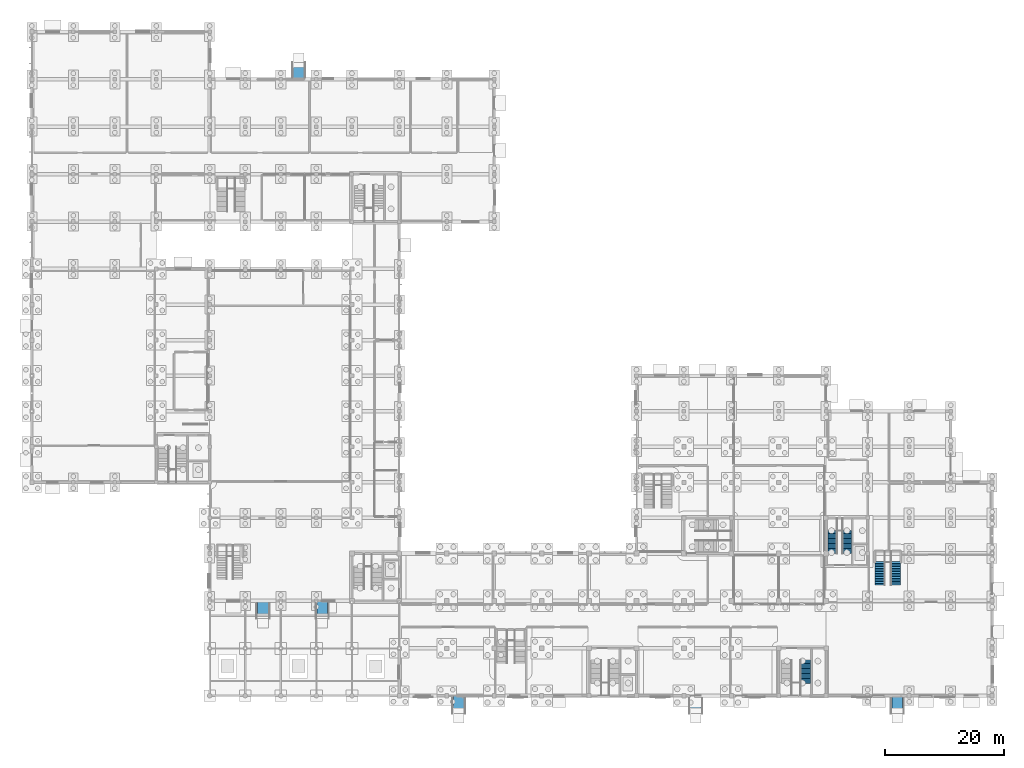
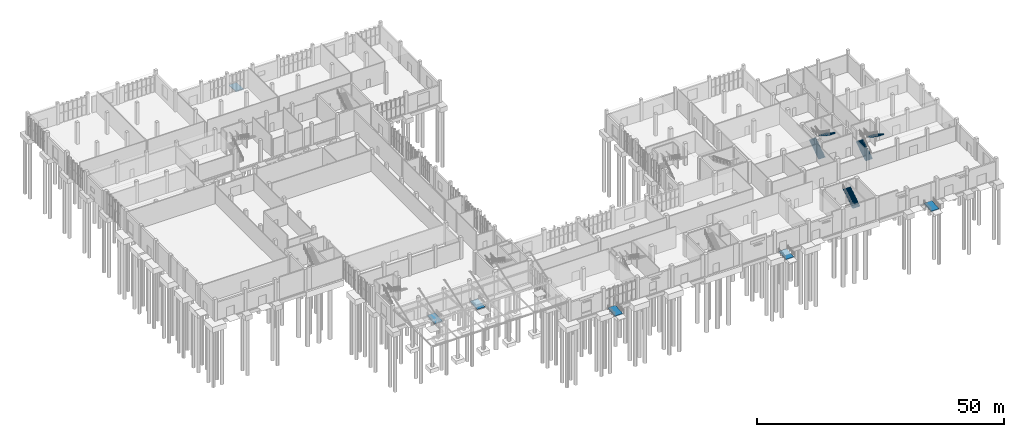
# One storey, part 53 of 69: 6 ramp flights, 5 stair flights, 9 elements without a shape of their own.
"""IFC4 building model written with IfcOpenShell, lengths in metres."""

from ifc_helpers import new_model, si_unit, direction, frame, origin, place, context, subcontext, project, spatial, polyline, outline, extrude, material, layer, layer_set, type_object, element, aggregate, save


model = new_model("IFC4")

# Units and contexts
model_context = context("Model", 3, precision=1e-05, world=origin(), true_north=direction((0.0, 1.0)))
body_context = subcontext(model_context, "Body", "Model", "MODEL_VIEW")
ifc_project = project(units=[si_unit("LENGTHUNIT", "METRE"), si_unit("AREAUNIT", "SQUARE_METRE"), si_unit("VOLUMEUNIT", "CUBIC_METRE"), si_unit("PLANEANGLEUNIT", "RADIAN"), si_unit("MASSUNIT", "GRAM", prefix="KILO")], contexts=[model_context])

# Site, building, storey
site_placement = place(None, origin())
site = spatial("IfcSite", under=ifc_project, at=site_placement, CompositionType="ELEMENT")
building_placement = place(site_placement, origin())
building = spatial("IfcBuilding", under=site, at=building_placement, Name="Solvane Community Centre", CompositionType="ELEMENT")
storey_placement = place(building_placement, origin())
storey = spatial("IfcBuildingStorey", under=building, at=storey_placement, Name="L00", CompositionType="ELEMENT", Elevation=0.0)

# Stair, stair flights
ifc_material = material(Name="Concrete C35/45", Category="concrete")
stair_type_1 = type_object("IfcStairType", Name="RC Two-Flight Escape Stair 1520mm", PredefinedType="TWO_STRAIGHT_RUN_STAIR", material=ifc_material)
stair_1_placement = place(storey_placement, origin())
stair_1 = element("IfcStair", 1, at=stair_1_placement, inside=storey, type_object=stair_type_1, Name="Stair STR-C6-L00", PredefinedType="TWO_STRAIGHT_RUN_STAIR")
stair_flight_type_1 = type_object("IfcStairFlightType", Name="RC Straight Stair Flight 1520mm", PredefinedType="STRAIGHT", material=ifc_material)
stair_flight_1_placement = place(storey_placement, frame((141.10009765625, 30.0, 0.0), z_axis=(0.0, 0.0, 1.0), x_axis=(0.0, 1.0, 0.0)))
stair_flight_1 = element("IfcStairFlight", 2, at=stair_flight_1_placement, type_object=stair_flight_type_1, Name="ST-04 flight 1", NumberOfRisers=15, NumberOfTreads=14, PredefinedType="STRAIGHT", RiserHeight=0.18, TreadLength=0.28, context=body_context, shape_type="SweptSolid", body=[
    extrude(outline(polyline([(0.0, 0.0), (0.0, 0.179931640625), (0.280029296875, 0.179931640625), (0.280029296875, 0.360107421875), (0.56005859375, 0.360107421875), (0.56005859375, 0.5400390625), (0.840087890625, 0.5400390625), (0.840087890625, 0.719970703125), (1.1201171875, 0.719970703125), (1.1201171875, 0.89990234375), (1.39990234375, 0.89990234375), (1.39990234375, 1.080078125), (1.679931640625, 1.080078125), (1.679931640625, 1.260009765625), (1.9599609375, 1.260009765625), (1.9599609375, 1.43994140625), (2.239990234375, 1.43994140625), (2.239990234375, 1.6201171875), (2.52001953125, 1.6201171875), (2.52001953125, 1.800048828125), (2.800048828125, 1.800048828125), (2.800048828125, 1.97998046875), (3.080078125, 1.97998046875), (3.080078125, 2.159912109375), (3.360107421875, 2.159912109375), (3.360107421875, 2.340087890625), (3.639892578125, 2.340087890625), (3.639892578125, 2.52001953125), (3.919921875, 2.52001953125), (3.919921875, 2.699951171875), (3.919921875, 2.329833984375), (0.295654296875, 0.0), (0.0, 0.0)])), frame((0.0, 0.760009765625, 0.0), z_axis=(0.0, -1.0, 0.0), x_axis=(1.0, 0.0, 0.0)), (0.0, 0.0, 1.0), 1.52001953125),
])
stair_flight_2_placement = place(storey_placement, frame((143.5, 33.919921875, 2.699951171875), z_axis=(0.0, 0.0, 1.0), x_axis=(0.0, -1.0, 0.0)))
stair_flight_2 = element("IfcStairFlight", 3, at=stair_flight_2_placement, type_object=stair_flight_type_1, Name="ST-04 flight 2", NumberOfRisers=15, NumberOfTreads=14, PredefinedType="STRAIGHT", RiserHeight=0.18, TreadLength=0.28, context=body_context, shape_type="SweptSolid", body=[
    extrude(outline(polyline([(0.0, 0.0), (0.0, 0.179931640625), (0.280029296875, 0.179931640625), (0.280029296875, 0.360107421875), (0.56005859375, 0.360107421875), (0.56005859375, 0.5400390625), (0.840087890625, 0.5400390625), (0.840087890625, 0.719970703125), (1.1201171875, 0.719970703125), (1.1201171875, 0.89990234375), (1.39990234375, 0.89990234375), (1.39990234375, 1.080078125), (1.679931640625, 1.080078125), (1.679931640625, 1.260009765625), (1.9599609375, 1.260009765625), (1.9599609375, 1.43994140625), (2.239990234375, 1.43994140625), (2.239990234375, 1.6201171875), (2.52001953125, 1.6201171875), (2.52001953125, 1.800048828125), (2.800048828125, 1.800048828125), (2.800048828125, 1.97998046875), (3.080078125, 1.97998046875), (3.080078125, 2.159912109375), (3.360107421875, 2.159912109375), (3.360107421875, 2.340087890625), (3.639892578125, 2.340087890625), (3.639892578125, 2.52001953125), (3.919921875, 2.52001953125), (3.919921875, 2.699951171875), (3.919921875, 2.329833984375), (0.295654296875, 0.0), (0.0, 0.0)])), frame((0.0, 0.760009765625, 0.0), z_axis=(0.0, -1.0, 0.0), x_axis=(1.0, 0.0, 0.0)), (0.0, 0.0, 1.0), 1.52001953125),
])
aggregate(stair_1, [stair_flight_1, stair_flight_2])

stair_type_2 = type_object("IfcStairType", Name="RC Two-Flight Escape Stair 1640mm", PredefinedType="TWO_STRAIGHT_RUN_STAIR", material=ifc_material)
stair_2_placement = place(storey_placement, origin())
stair_2 = element("IfcStair", 4, at=stair_2_placement, inside=storey, type_object=stair_type_2, Name="Stair STR-DIN-L00", PredefinedType="TWO_STRAIGHT_RUN_STAIR")
stair_flight_type_2 = type_object("IfcStairFlightType", Name="RC Straight Stair Flight 1640mm", PredefinedType="STRAIGHT", material=ifc_material)
stair_flight_3_placement = place(storey_placement, frame((149.06005859375, 24.699951171875, 0.0), z_axis=(0.0, 0.0, 1.0), x_axis=(0.0, 1.0, 0.0)))
stair_flight_3 = element("IfcStairFlight", 5, at=stair_flight_3_placement, type_object=stair_flight_type_2, Name="ST-10 flight 1", NumberOfRisers=15, NumberOfTreads=14, PredefinedType="STRAIGHT", RiserHeight=0.18, TreadLength=0.28, context=body_context, shape_type="SweptSolid", body=[
    extrude(outline(polyline([(0.0, 0.0), (0.0, 0.179931640625), (0.280029296875, 0.179931640625), (0.280029296875, 0.360107421875), (0.56005859375, 0.360107421875), (0.56005859375, 0.5400390625), (0.840087890625, 0.5400390625), (0.840087890625, 0.719970703125), (1.1201171875, 0.719970703125), (1.1201171875, 0.89990234375), (1.39990234375, 0.89990234375), (1.39990234375, 1.080078125), (1.679931640625, 1.080078125), (1.679931640625, 1.260009765625), (1.9599609375, 1.260009765625), (1.9599609375, 1.43994140625), (2.239990234375, 1.43994140625), (2.239990234375, 1.6201171875), (2.52001953125, 1.6201171875), (2.52001953125, 1.800048828125), (2.800048828125, 1.800048828125), (2.800048828125, 1.97998046875), (3.080078125, 1.97998046875), (3.080078125, 2.159912109375), (3.360107421875, 2.159912109375), (3.360107421875, 2.340087890625), (3.639892578125, 2.340087890625), (3.639892578125, 2.52001953125), (3.919921875, 2.52001953125), (3.919921875, 2.699951171875), (3.919921875, 2.329833984375), (0.295654296875, 0.0), (0.0, 0.0)])), frame((0.0, 0.81982421875, 0.0), z_axis=(0.0, -1.0, 0.0), x_axis=(1.0, 0.0, 0.0)), (0.0, 0.0, 1.0), 1.639892578125),
])
stair_flight_4_placement = place(storey_placement, frame((151.739990234375, 28.6201171875, 2.699951171875), z_axis=(0.0, 0.0, 1.0), x_axis=(0.0, -1.0, 0.0)))
stair_flight_4 = element("IfcStairFlight", 6, at=stair_flight_4_placement, type_object=stair_flight_type_2, Name="ST-10 flight 2", NumberOfRisers=15, NumberOfTreads=14, PredefinedType="STRAIGHT", RiserHeight=0.18, TreadLength=0.28, context=body_context, shape_type="SweptSolid", body=[
    extrude(outline(polyline([(0.0, 0.0), (0.0, 0.179931640625), (0.280029296875, 0.179931640625), (0.280029296875, 0.360107421875), (0.56005859375, 0.360107421875), (0.56005859375, 0.5400390625), (0.840087890625, 0.5400390625), (0.840087890625, 0.719970703125), (1.1201171875, 0.719970703125), (1.1201171875, 0.89990234375), (1.39990234375, 0.89990234375), (1.39990234375, 1.080078125), (1.679931640625, 1.080078125), (1.679931640625, 1.260009765625), (1.9599609375, 1.260009765625), (1.9599609375, 1.43994140625), (2.239990234375, 1.43994140625), (2.239990234375, 1.6201171875), (2.52001953125, 1.6201171875), (2.52001953125, 1.800048828125), (2.800048828125, 1.800048828125), (2.800048828125, 1.97998046875), (3.080078125, 1.97998046875), (3.080078125, 2.159912109375), (3.360107421875, 2.159912109375), (3.360107421875, 2.340087890625), (3.639892578125, 2.340087890625), (3.639892578125, 2.52001953125), (3.919921875, 2.52001953125), (3.919921875, 2.699951171875), (3.919921875, 2.329833984375), (0.295654296875, 0.0), (0.0, 0.0)])), frame((0.0, 0.81982421875, 0.0), z_axis=(0.0, -1.0, 0.0), x_axis=(1.0, 0.0, 0.0)), (0.0, 0.0, 1.0), 1.639892578125),
])
aggregate(stair_2, [stair_flight_3, stair_flight_4])

# Stair, stair flight
stair_type_3 = type_object("IfcStairType", Name="RC Two-Flight Escape Stair 1720mm", PredefinedType="TWO_STRAIGHT_RUN_STAIR", material=ifc_material)
stair_3_placement = place(storey_placement, origin())
stair_3 = element("IfcStair", 7, at=stair_3_placement, inside=storey, type_object=stair_type_3, Name="Stair STR-C3-L00", PredefinedType="TWO_STRAIGHT_RUN_STAIR")
stair_flight_type_3 = type_object("IfcStairFlightType", Name="RC Straight Stair Flight 1720mm", PredefinedType="STRAIGHT", material=ifc_material)
stair_flight_5_placement = place(storey_placement, frame((136.5, 8.080078125, 2.699951171875), z_axis=(0.0, 0.0, 1.0), x_axis=(0.0, 1.0, 0.0)))
stair_flight_5 = element("IfcStairFlight", 8, at=stair_flight_5_placement, type_object=stair_flight_type_3, Name="ST-05 flight 2", NumberOfRisers=15, NumberOfTreads=14, PredefinedType="STRAIGHT", RiserHeight=0.18, TreadLength=0.28, context=body_context, shape_type="SweptSolid", body=[
    extrude(outline(polyline([(0.0, 0.0), (0.0, 0.179931640625), (0.280029296875, 0.179931640625), (0.280029296875, 0.360107421875), (0.56005859375, 0.360107421875), (0.56005859375, 0.5400390625), (0.840087890625, 0.5400390625), (0.840087890625, 0.719970703125), (1.1201171875, 0.719970703125), (1.1201171875, 0.89990234375), (1.39990234375, 0.89990234375), (1.39990234375, 1.080078125), (1.679931640625, 1.080078125), (1.679931640625, 1.260009765625), (1.9599609375, 1.260009765625), (1.9599609375, 1.43994140625), (2.239990234375, 1.43994140625), (2.239990234375, 1.6201171875), (2.52001953125, 1.6201171875), (2.52001953125, 1.800048828125), (2.800048828125, 1.800048828125), (2.800048828125, 1.97998046875), (3.080078125, 1.97998046875), (3.080078125, 2.159912109375), (3.360107421875, 2.159912109375), (3.360107421875, 2.340087890625), (3.639892578125, 2.340087890625), (3.639892578125, 2.52001953125), (3.919921875, 2.52001953125), (3.919921875, 2.699951171875), (3.919921875, 2.329833984375), (0.295654296875, 0.0), (0.0, 0.0)])), frame((0.0, 0.85986328125, 0.0), z_axis=(0.0, -1.0, 0.0), x_axis=(1.0, 0.0, 0.0)), (0.0, 0.0, 1.0), 1.719970703125),
])
aggregate(stair_3, [stair_flight_5])

# Ramp, ramp flight
ramp_type = type_object("IfcRampType", Name="Accessible Threshold Ramp 1:12.5", PredefinedType="STRAIGHT_RUN_RAMP", material=ifc_material)
ramp_1_placement = place(storey_placement, origin())
ramp_1 = element("IfcRamp", 9, at=ramp_1_placement, inside=storey, type_object=ramp_type, Name="Accessible Ramp RMP-01", PredefinedType="STRAIGHT_RUN_RAMP")
ifc_layer = layer(ifc_material, 0.199951171875)
ifc_layer_set = layer_set([ifc_layer], Name="Concrete C35/45")
ramp_flight_type = type_object("IfcRampFlightType", Name="Accessible Ramp Flight 200mm", PredefinedType="STRAIGHT", material=ifc_layer_set)
ramp_flight_1_placement = place(storey_placement, frame((45.0, 19.0, -0.239990234375), z_axis=(0.0, 0.0, 1.0), x_axis=(0.0, 1.0, 0.0)))
ramp_flight_1 = element("IfcRampFlight", 10, at=ramp_flight_1_placement, type_object=ramp_flight_type, Name="Accessible Ramp Flight RMP-01", PredefinedType="STRAIGHT", context=body_context, shape_type="SweptSolid", body=[
    extrude(outline(polyline([(0.0, 0.0), (3.0, 0.239990234375), (3.0, 0.0400390625), (0.0, -0.199951171875), (0.0, 0.0)])), frame((0.0, 0.89990234375, 0.0), z_axis=(0.0, -1.0, 0.0), x_axis=(1.0, 0.0, 0.0)), (0.0, 0.0, 1.0), 1.800048828125),
])
aggregate(ramp_1, [ramp_flight_1])

ramp_2_placement = place(storey_placement, origin())
ramp_2 = element("IfcRamp", 11, at=ramp_2_placement, inside=storey, type_object=ramp_type, Name="Accessible Ramp RMP-02", PredefinedType="STRAIGHT_RUN_RAMP")
ramp_flight_2_placement = place(storey_placement, frame((55.0, 19.0, -0.239990234375), z_axis=(0.0, 0.0, 1.0), x_axis=(0.0, 1.0, 0.0)))
ramp_flight_2 = element("IfcRampFlight", 12, at=ramp_flight_2_placement, type_object=ramp_flight_type, Name="Accessible Ramp Flight RMP-02", PredefinedType="STRAIGHT", context=body_context, shape_type="SweptSolid", body=[
    extrude(outline(polyline([(0.0, 0.0), (3.0, 0.239990234375), (3.0, 0.0400390625), (0.0, -0.199951171875), (0.0, 0.0)])), frame((0.0, 0.89990234375, 0.0), z_axis=(0.0, -1.0, 0.0), x_axis=(1.0, 0.0, 0.0)), (0.0, 0.0, 1.0), 1.800048828125),
])
aggregate(ramp_2, [ramp_flight_2])

ramp_3_placement = place(storey_placement, origin())
ramp_3 = element("IfcRamp", 13, at=ramp_3_placement, inside=storey, type_object=ramp_type, Name="Accessible Ramp RMP-03", PredefinedType="STRAIGHT_RUN_RAMP")
ramp_flight_3_placement = place(storey_placement, frame((78.0, 3.0, -0.239990234375), z_axis=(0.0, 0.0, 1.0), x_axis=(0.0, 1.0, 0.0)))
ramp_flight_3 = element("IfcRampFlight", 14, at=ramp_flight_3_placement, type_object=ramp_flight_type, Name="Accessible Ramp Flight RMP-03", PredefinedType="STRAIGHT", context=body_context, shape_type="SweptSolid", body=[
    extrude(outline(polyline([(0.0, 0.0), (3.0, 0.239990234375), (3.0, 0.0400390625), (0.0, -0.199951171875), (0.0, 0.0)])), frame((0.0, 0.89990234375, 0.0), z_axis=(0.0, -1.0, 0.0), x_axis=(1.0, 0.0, 0.0)), (0.0, 0.0, 1.0), 1.800048828125),
])
aggregate(ramp_3, [ramp_flight_3])

ramp_4_placement = place(storey_placement, origin())
ramp_4 = element("IfcRamp", 15, at=ramp_4_placement, inside=storey, type_object=ramp_type, Name="Accessible Ramp RMP-04", PredefinedType="STRAIGHT_RUN_RAMP")
ramp_flight_4_placement = place(storey_placement, frame((118.0, 3.0, -0.239990234375), z_axis=(0.0, 0.0, 1.0), x_axis=(0.0, 1.0, 0.0)))
ramp_flight_4 = element("IfcRampFlight", 16, at=ramp_flight_4_placement, type_object=ramp_flight_type, Name="Accessible Ramp Flight RMP-04", PredefinedType="STRAIGHT", context=body_context, shape_type="SweptSolid", body=[
    extrude(outline(polyline([(0.0, 0.0), (3.0, 0.239990234375), (3.0, 0.0400390625), (0.0, -0.199951171875), (0.0, 0.0)])), frame((0.0, 0.89990234375, 0.0), z_axis=(0.0, -1.0, 0.0), x_axis=(1.0, 0.0, 0.0)), (0.0, 0.0, 1.0), 1.800048828125),
])
aggregate(ramp_4, [ramp_flight_4])

ramp_5_placement = place(storey_placement, origin())
ramp_5 = element("IfcRamp", 17, at=ramp_5_placement, inside=storey, type_object=ramp_type, Name="Accessible Ramp RMP-05", PredefinedType="STRAIGHT_RUN_RAMP")
ramp_flight_5_placement = place(storey_placement, frame((152.0, 3.0, -0.239990234375), z_axis=(0.0, 0.0, 1.0), x_axis=(0.0, 1.0, 0.0)))
ramp_flight_5 = element("IfcRampFlight", 18, at=ramp_flight_5_placement, type_object=ramp_flight_type, Name="Accessible Ramp Flight RMP-05", PredefinedType="STRAIGHT", context=body_context, shape_type="SweptSolid", body=[
    extrude(outline(polyline([(0.0, 0.0), (3.0, 0.239990234375), (3.0, 0.0400390625), (0.0, -0.199951171875), (0.0, 0.0)])), frame((0.0, 0.89990234375, 0.0), z_axis=(0.0, -1.0, 0.0), x_axis=(1.0, 0.0, 0.0)), (0.0, 0.0, 1.0), 1.800048828125),
])
aggregate(ramp_5, [ramp_flight_5])

ramp_6_placement = place(storey_placement, origin())
ramp_6 = element("IfcRamp", 19, at=ramp_6_placement, inside=storey, type_object=ramp_type, Name="Accessible Ramp RMP-06", PredefinedType="STRAIGHT_RUN_RAMP")
ramp_flight_6_placement = place(storey_placement, frame((51.0, 112.85009765625, -0.239990234375), z_axis=(0.0, 0.0, 1.0), x_axis=(0.0, -1.0, 0.0)))
ramp_flight_6 = element("IfcRampFlight", 20, at=ramp_flight_6_placement, type_object=ramp_flight_type, Name="Accessible Ramp Flight RMP-06", PredefinedType="STRAIGHT", context=body_context, shape_type="SweptSolid", body=[
    extrude(outline(polyline([(0.0, 0.0), (3.0, 0.239990234375), (3.0, 0.0400390625), (0.0, -0.199951171875), (0.0, 0.0)])), frame((0.0, 0.89990234375, 0.0), z_axis=(0.0, -1.0, 0.0), x_axis=(1.0, 0.0, 0.0)), (0.0, 0.0, 1.0), 1.800048828125),
])
aggregate(ramp_6, [ramp_flight_6])

save(model, "model.ifc")
